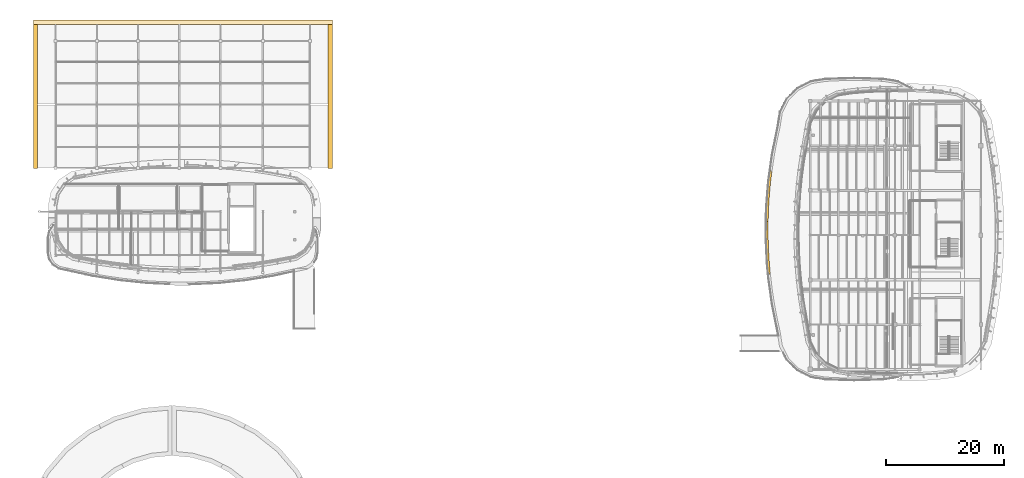
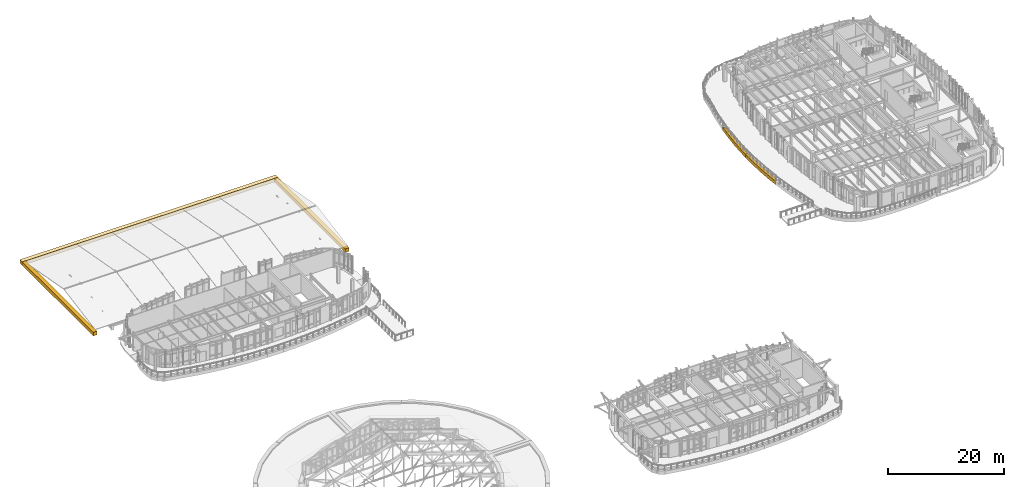
# One storey, part 99 of 105: 5 coverings.
"""IFC4 building model written with IfcOpenShell, lengths in metres."""

from ifc_helpers import new_model, si_unit, direction, frame, origin, place, context, subcontext, project, spatial, polyline, outline, extrude, material, layer, layer_set, type_object, element, save


model = new_model("IFC4")

# Units and contexts
model_context = context("Model", 3, precision=1e-05, world=origin(), true_north=direction((0.0, 1.0)))
body_context = subcontext(model_context, "Body", "Model", "MODEL_VIEW")
ifc_project = project(units=[si_unit("LENGTHUNIT", "METRE"), si_unit("AREAUNIT", "SQUARE_METRE"), si_unit("VOLUMEUNIT", "CUBIC_METRE"), si_unit("PLANEANGLEUNIT", "RADIAN"), si_unit("MASSUNIT", "GRAM", prefix="KILO")], contexts=[model_context])

# Site, building, storey
site_placement = place(None, origin())
site = spatial("IfcSite", under=ifc_project, at=site_placement, CompositionType="ELEMENT")
building_placement = place(site_placement, origin())
building = spatial("IfcBuilding", under=site, at=building_placement, Name="Corveleigh Park Community Centre", CompositionType="ELEMENT")
storey_placement = place(building_placement, frame((0.0, 0.0, 8.699951171875)))
storey = spatial("IfcBuildingStorey", under=building, at=storey_placement, Name="L02", CompositionType="ELEMENT", Elevation=8.699951171875)

# Coverings
ifc_material = material(Name="White architectural fascia cladding", Category="masonry")
ifc_layer = layer(ifc_material, 0.074951171875, Name="White architectural fascia cladding", Category="masonry")
ifc_layer_set = layer_set([ifc_layer], Name="White architectural fascia cladding")
covering_type = type_object("IfcCoveringType", Name="COV-CLD-WHT", PredefinedType="CLADDING", material=ifc_layer_set)
covering_1_placement = place(storey_placement, frame((0.0, 0.0, -0.050048828125)))
element("IfcCovering", 1, at=covering_1_placement, inside=storey, type_object=covering_type, Name="Sports Hall North Overhang White Fascia", PredefinedType="CLADDING", context=body_context, shape_type="SweptSolid", body=[
    extrude(outline(polyline([(7.39990234375, 117.14990234375), (58.199951171875, 117.14990234375), (58.199951171875, 117.949951171875), (7.39990234375, 117.949951171875), (7.39990234375, 117.14990234375)])), origin(), (0.0, 0.0, 1.0), 0.760009765625),
])
covering_2_placement = place(storey_placement, frame((0.0, 0.0, -0.050048828125)))
element("IfcCovering", 2, at=covering_2_placement, inside=storey, type_object=covering_type, Name="Sports Hall West Overhang White Fascia", PredefinedType="CLADDING", context=body_context, shape_type="SweptSolid", body=[
    extrude(outline(polyline([(7.39990234375, 92.75), (8.14990234375, 92.75), (8.14990234375, 117.199951171875), (7.39990234375, 117.199951171875), (7.39990234375, 92.75)])), origin(), (0.0, 0.0, 1.0), 0.760009765625),
])
covering_3_placement = place(storey_placement, frame((0.0, 0.0, -0.050048828125)))
element("IfcCovering", 3, at=covering_3_placement, inside=storey, type_object=covering_type, Name="Sports Hall East Overhang White Fascia", PredefinedType="CLADDING", context=body_context, shape_type="SweptSolid", body=[
    extrude(outline(polyline([(57.449951171875, 92.75), (58.199951171875, 92.75), (58.199951171875, 117.199951171875), (57.449951171875, 117.199951171875), (57.449951171875, 92.75)])), origin(), (0.0, 0.0, 1.0), 0.760009765625),
])
covering_4_placement = place(storey_placement, frame((0.0, 0.0, -0.679931640625)))
element("IfcCovering", 4, at=covering_4_placement, inside=storey, type_object=covering_type, Name="Step 2 Library Reading Terrace Sweeping White Edge Band 4", PredefinedType="CLADDING", context=body_context, shape_type="SweptSolid", body=[
    extrude(outline(polyline([(131.803955078125, 85.910888671875), (131.948974609375, 88.2509765625), (132.1669921875, 90.58203125), (132.444091796875, 92.7890625), (132.8740234375, 92.0439453125), (132.68408203125, 90.52587890625), (132.468017578125, 88.2099609375), (132.323974609375, 85.887939453125), (132.257080078125, 83.7490234375), (131.737060546875, 83.7490234375), (131.803955078125, 85.910888671875)])), origin(), (0.0, 0.0, 1.0), 0.719970703125),
])
covering_5_placement = place(storey_placement, frame((0.0, 0.0, -0.679931640625)))
element("IfcCovering", 5, at=covering_5_placement, inside=storey, type_object=covering_type, Name="Step 2 Library Reading Terrace Sweeping White Edge Band 5", PredefinedType="CLADDING", context=body_context, shape_type="SweptSolid", body=[
    extrude(outline(polyline([(131.948974609375, 76.549072265625), (131.803955078125, 78.887939453125), (131.73095703125, 81.22802734375), (131.736083984375, 83.742919921875), (132.257080078125, 83.742919921875), (132.2509765625, 81.236083984375), (132.323974609375, 78.912109375), (132.468017578125, 76.590087890625), (132.615966796875, 75.001953125), (132.1669921875, 74.22412109375), (131.948974609375, 76.549072265625)])), origin(), (0.0, 0.0, 1.0), 0.719970703125),
])

save(model, "model.ifc")
